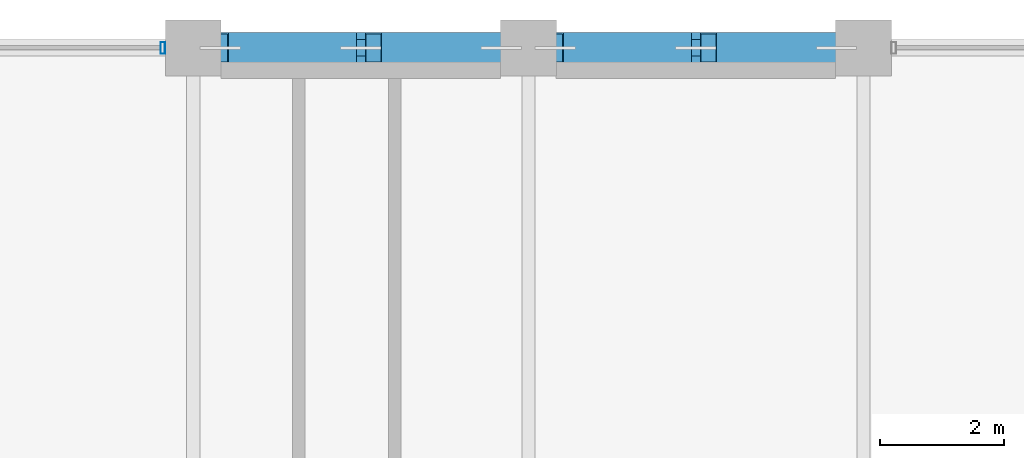
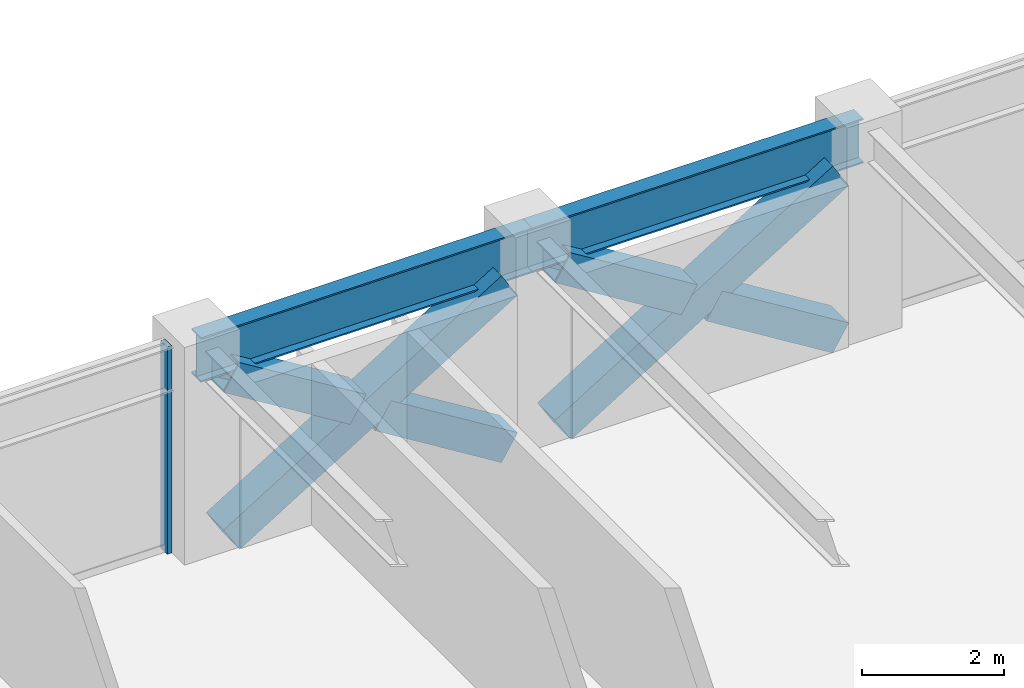
# One storey, part 21 of 32: 7 members, 2 beams, 1 element without a shape of its own.
"""IFC4 building model written with IfcOpenShell, lengths in metres."""

from ifc_helpers import new_model, si_unit, direction, frame, origin, origin_2d, place, context, subcontext, project, spatial, hollow_rectangle, i_section, extrude, material, layer, layer_set, material_profile, profile_set, type_object, element, aggregate, save


model = new_model("IFC4")

# Units and contexts
model_context = context("Model", 3, precision=1e-05, world=origin(), true_north=direction((0.0, 1.0)))
body_context = subcontext(model_context, "Body", "Model", "MODEL_VIEW")
ifc_project = project(units=[si_unit("LENGTHUNIT", "METRE"), si_unit("AREAUNIT", "SQUARE_METRE"), si_unit("VOLUMEUNIT", "CUBIC_METRE"), si_unit("PLANEANGLEUNIT", "RADIAN"), si_unit("MASSUNIT", "GRAM", prefix="KILO")], contexts=[model_context])

# Site, building, storey
site_placement = place(None, origin())
site = spatial("IfcSite", under=ifc_project, at=site_placement, CompositionType="ELEMENT")
building_placement = place(site_placement, origin())
building = spatial("IfcBuilding", under=site, at=building_placement, Name="Surkhivell Harbour Commons", CompositionType="ELEMENT")
storey_placement = place(building_placement, frame((0.0, 0.0, 204.75)))
storey = spatial("IfcBuildingStorey", under=building, at=storey_placement, Name="L53", CompositionType="ELEMENT", Elevation=204.75)

# Beams
ifc_material_1 = material(Name="Steel S355", Category="steel")
ifc_material_profile_1 = material_profile(ifc_material_1, i_section(OverallWidth=0.26806640625, OverallDepth=0.77001953125, WebThickness=0.015625, FlangeThickness=0.025390625, at=origin_2d()), Name="UB762x267x197")
ifc_profile_set_1 = profile_set([ifc_material_profile_1], Name="Steel S355")
beam_type = type_object("IfcBeamType", Name="BM-SPN-762", PredefinedType="SPANDREL", material=ifc_profile_set_1)
for number, where, z_axis, x_axis, name in (
    (1, (-5.39990234375, 25.89990234375, 3.18505859375), (1.0, 0.0, 0.0), (0.0, 1.0, 0.0), "L53 Tube Spandrel (-5.4,25.9)"),
    (2, (0.0, 25.89990234375, 3.18505859375), (1.0, 0.0, 0.0), (0.0, 1.0, 0.0), "L53 Tube Spandrel (-0.0,25.9)"),
):
    element("IfcBeam", number, at=place(storey_placement, frame(where, z_axis=z_axis, x_axis=x_axis)), inside=storey, type_object=beam_type, Name=name, PredefinedType="SPANDREL", context=body_context, shape_type="SweptSolid", body=[
        extrude(i_section(OverallWidth=0.26806640625, OverallDepth=0.77001953125, WebThickness=0.015625, FlangeThickness=0.025390625, at=origin_2d()), origin(), (0.0, 0.0, 1.0), 5.39990234375),
    ])

# Curtain wall, member
ifc_material_2 = material(Name="Anodised pale-metal aluminium and insulated glazing", Category="aluminium")
ifc_layer = layer(ifc_material_2, 0.18994140625)
ifc_layer_set = layer_set([ifc_layer], Name="Anodised pale-metal aluminium and insulated glazing")
curtain_wall_type = type_object("IfcCurtainWallType", Name="CW-SYS-Z3", PredefinedType="NOTDEFINED", material=ifc_layer_set)
curtain_wall_placement = place(storey_placement, origin())
curtain_wall = element("IfcCurtainWall", 3, at=curtain_wall_placement, inside=storey, type_object=curtain_wall_type, Name="L53 Curtain Wall CW-L53-E07S2", PredefinedType="NOTDEFINED")
ifc_material_3 = material(Name="Anodised pale-metal aluminium alloy 6063-T6", Category="aluminium")
ifc_material_profile_2 = material_profile(ifc_material_3, hollow_rectangle(XDim=0.074951171875, YDim=0.18994140625, WallThickness=0.00390625, at=origin_2d()), Name="ALU-MULL-75x190")
ifc_profile_set_2 = profile_set([ifc_material_profile_2], Name="Anodised pale-metal aluminium alloy 6063-T6")
member_type_1 = type_object("IfcMemberType", Name="CWM-190", PredefinedType="MULLION", material=ifc_profile_set_2)
member_1_placement = place(storey_placement, frame((-5.889404296875, 25.89990234375, 0.0), z_axis=(0.0, 0.0, 1.0), x_axis=(-1.0, 0.0, 0.0)))
member_1 = element("IfcMember", 4, at=member_1_placement, type_object=member_type_1, Name="CW-Z3 mullion 1", PredefinedType="MULLION", context=body_context, shape_type="SweptSolid", body=[
    extrude(hollow_rectangle(XDim=0.074951171875, YDim=0.18994140625, WallThickness=0.00390625, at=origin_2d()), origin(), (0.0, 0.0, 1.0), 3.570068359375),
])
aggregate(curtain_wall, [member_1])

# Members
ifc_material_4 = material(Name="Steel S460", Category="steel")
ifc_material_profile_3 = material_profile(ifc_material_4, hollow_rectangle(XDim=0.5, YDim=0.5, WallThickness=0.02490234375, at=origin_2d()), Name="SHS500x500x25")
ifc_profile_set_3 = profile_set([ifc_material_profile_3], Name="Steel S460")
member_type_2 = type_object("IfcMemberType", Name="MEM-BRC-SHS500", PredefinedType="BRACE", material=ifc_profile_set_3)
member_2_placement = place(storey_placement, frame((-4.965087890625, 25.89990234375, 0.008056640625), z_axis=(0.850971032488, 0.0, 0.525212625387), x_axis=(0.0, 1.0, 0.0)))
element("IfcMember", 5, at=member_2_placement, inside=storey, type_object=member_type_2, Name="L53 Perimeter Mega-Brace MB- 01", PredefinedType="BRACE", context=body_context, shape_type="SweptSolid", body=[
    extrude(hollow_rectangle(XDim=0.5, YDim=0.5, WallThickness=0.02490234375, at=origin_2d()), origin(), (0.0, 0.0, 1.0), 5.323486328125),
])
for number, where, z_axis, x_axis, name in (
    (6, (-0.43505859375, 25.89990234375, 0.008056640625), (-0.8510034189, 0.0, 0.525160147974), (0.0, -1.0, 0.0), "L53 Perimeter Mega-Brace MB- 02"),
    (7, (-2.904296875, 25.89990234375, 1.531982421875), (-0.850958361341, 0.0, 0.525233155146), (0.0, -1.0, 0.0), "L53 Perimeter Mega-Brace MB- 03"),
):
    element("IfcMember", number, at=place(storey_placement, frame(where, z_axis=z_axis, x_axis=x_axis)), inside=storey, type_object=member_type_2, Name=name, PredefinedType="BRACE", context=body_context, shape_type="SweptSolid", body=[
        extrude(hollow_rectangle(XDim=0.5, YDim=0.5, WallThickness=0.02490234375, at=origin_2d()), origin(), (0.0, 0.0, 1.0), 2.421630859375),
    ])
member_3_placement = place(storey_placement, frame((0.43505859375, 25.89990234375, 0.008056640625), z_axis=(0.850971032488, 0.0, 0.525212625387), x_axis=(0.0, 1.0, 0.0)))
element("IfcMember", 8, at=member_3_placement, inside=storey, type_object=member_type_2, Name="L53 Perimeter Mega-Brace MB- 04", PredefinedType="BRACE", context=body_context, shape_type="SweptSolid", body=[
    extrude(hollow_rectangle(XDim=0.5, YDim=0.5, WallThickness=0.02490234375, at=origin_2d()), origin(), (0.0, 0.0, 1.0), 5.323486328125),
])
for number, where, z_axis, x_axis, name in (
    (9, (4.965087890625, 25.89990234375, 0.008056640625), (-0.8510034189, 0.0, 0.525160147974), (0.0, -1.0, 0.0), "L53 Perimeter Mega-Brace MB- 05"),
    (10, (2.495849609375, 25.89990234375, 1.531982421875), (-0.850958361341, 0.0, 0.525233155146), (0.0, -1.0, 0.0), "L53 Perimeter Mega-Brace MB- 06"),
):
    element("IfcMember", number, at=place(storey_placement, frame(where, z_axis=z_axis, x_axis=x_axis)), inside=storey, type_object=member_type_2, Name=name, PredefinedType="BRACE", context=body_context, shape_type="SweptSolid", body=[
        extrude(hollow_rectangle(XDim=0.5, YDim=0.5, WallThickness=0.02490234375, at=origin_2d()), origin(), (0.0, 0.0, 1.0), 2.421630859375),
    ])

save(model, "model.ifc")
